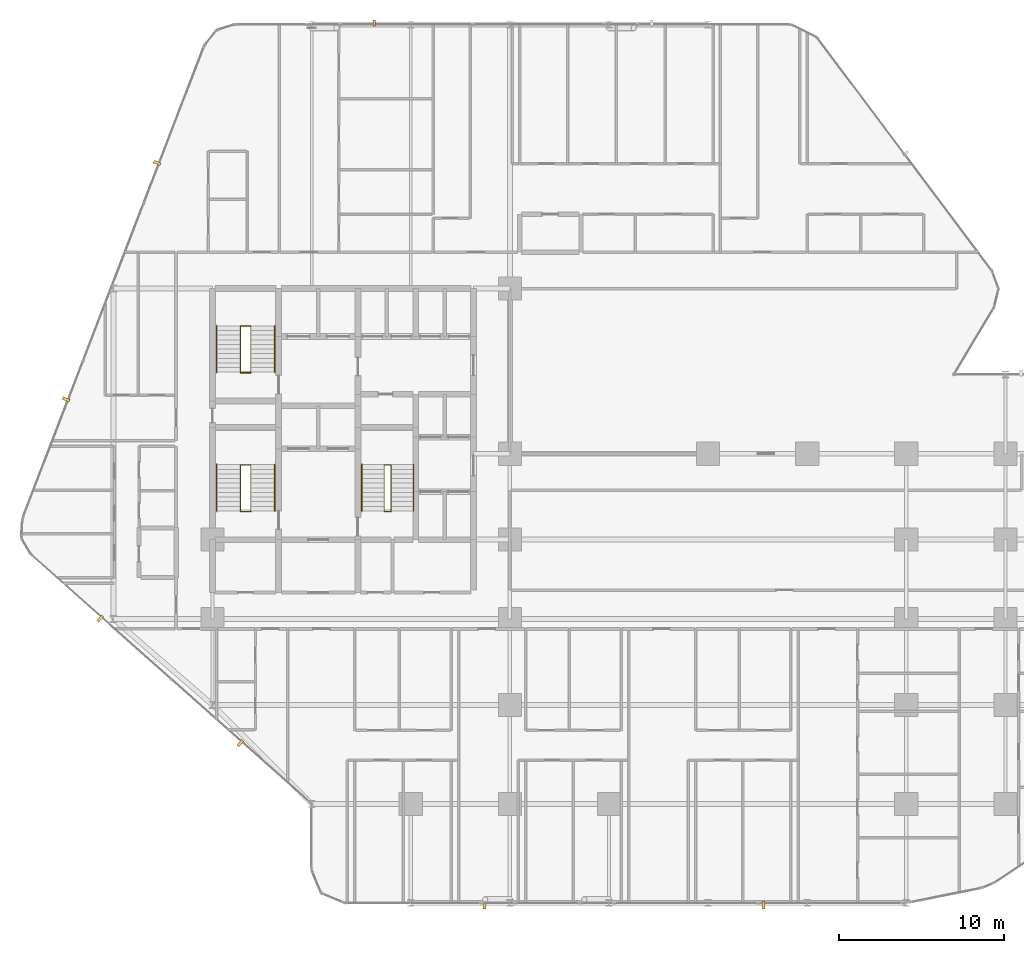
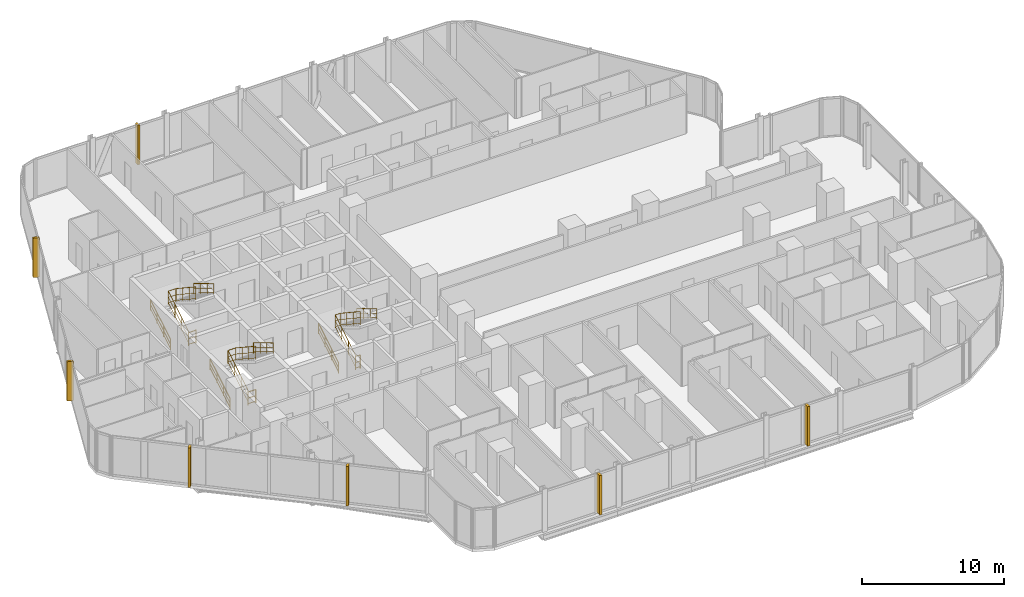
# One storey, part 34 of 35: 12 railings, 7 coverings.
"""IFC4 building model written with IfcOpenShell, lengths in metres."""

from ifc_helpers import new_model, si_unit, direction, frame, origin, origin_2d, place, context, subcontext, project, spatial, rectangle, circle, extrude, material, layer, layer_set, type_object, element, save


model = new_model("IFC4")

# Units and contexts
model_context = context("Model", 3, precision=1e-05, world=origin(), true_north=direction((0.0, 1.0)))
body_context = subcontext(model_context, "Body", "Model", "MODEL_VIEW")
ifc_project = project(units=[si_unit("LENGTHUNIT", "METRE"), si_unit("AREAUNIT", "SQUARE_METRE"), si_unit("VOLUMEUNIT", "CUBIC_METRE"), si_unit("PLANEANGLEUNIT", "RADIAN"), si_unit("MASSUNIT", "GRAM", prefix="KILO")], contexts=[model_context])

# Site, building, storey
site_placement = place(None, origin())
site = spatial("IfcSite", under=ifc_project, at=site_placement, CompositionType="ELEMENT")
building_placement = place(site_placement, origin())
building = spatial("IfcBuilding", under=site, at=building_placement, Name="Keshet Zoharim Tower", CompositionType="ELEMENT")
storey_placement = place(building_placement, frame((0.0, 0.0, 24.0)))
storey = spatial("IfcBuildingStorey", under=building, at=storey_placement, Name="L04", CompositionType="ELEMENT", Elevation=24.0)

# Coverings
ifc_material_1 = material(Name="Concrete C50/60 precast", Category="concrete")
covering_type_1 = type_object("IfcCoveringType", Name="FIN-SOL-360", PredefinedType="CLADDING", material=ifc_material_1)
covering_placement = place(storey_placement, frame((24.780029296875, 53.97998046875, 0.0), z_axis=(0.0, 0.0, 1.0), x_axis=(1.0, 0.0, 0.0)))
element("IfcCovering", 1, at=covering_placement, inside=storey, type_object=covering_type_1, Name="L04 Vertical Precast Solar Fin 05", PredefinedType="CLADDING", context=body_context, shape_type="SweptSolid", body=[
    extrude(rectangle(XDim=0.159912109375, YDim=0.360107421875, at=origin_2d()), origin(), (0.0, 0.0, 1.0), 3.385009765625),
])
covering_type_2 = type_object("IfcCoveringType", Name="FIN-SOL-450", PredefinedType="CLADDING", material=ifc_material_1)
for number, where, z_axis, x_axis, name in (
    (2, (16.676025390625, 10.376953125, 0.0), (0.0, 0.0, 1.0), (-0.747409318679, 0.664363838836, 0.0), "L04 Vertical Precast Solar Fin 01"),
    (3, (8.193115234375, 17.9169921875, 0.0), (0.0, 0.0, 1.0), (-0.747409318679, 0.664363838836, 0.0), "L04 Vertical Precast Solar Fin 02"),
    (4, (6.133056640625, 31.194091796875, 0.0), (0.0, 0.0, 1.0), (0.358990003907, 0.933341404361, 0.0), "L04 Vertical Precast Solar Fin 03"),
    (5, (11.637939453125, 45.507080078125, 0.0), (0.0, 0.0, 1.0), (0.358990003907, 0.933341404361, 0.0), "L04 Vertical Precast Solar Fin 04"),
    (6, (48.35205078125, 0.574951171875, 0.0), (0.0, 0.0, 1.0), (-1.0, 0.0, 0.0), "L04 Vertical Precast Solar Fin 10"),
    (7, (31.450927734375, 0.574951171875, 0.0), (0.0, 0.0, 1.0), (-1.0, 0.0, 0.0), "L04 Vertical Precast Solar Fin 11"),
):
    element("IfcCovering", number, at=place(storey_placement, frame(where, z_axis=z_axis, x_axis=x_axis)), inside=storey, type_object=covering_type_2, Name=name, PredefinedType="CLADDING", context=body_context, shape_type="SweptSolid", body=[
        extrude(rectangle(XDim=0.179931640625, YDim=0.449951171875, at=origin_2d()), origin(), (0.0, 0.0, 1.0), 3.385009765625),
    ])

# Railings
ifc_material_2 = material(Name="Steel S355", Category="steel")
ifc_layer_1 = layer(ifc_material_2, 0.050048828125)
ifc_layer_set_1 = layer_set([ifc_layer_1], Name="Steel S355")
railing_type_1 = type_object("IfcRailingType", Name="RL-HND-092", PredefinedType="HANDRAIL", material=ifc_layer_set_1)
railing_1_placement = place(storey_placement, frame((15.239990234375, 24.43994140625, 0.168212890625)))
element("IfcRailing", 8, at=railing_1_placement, inside=storey, type_object=railing_type_1, Name="L04 ST-01 Flight 1 Wall Handrail", PredefinedType="HANDRAIL", context=body_context, shape_type="SweptSolid", body=[
    extrude(circle(Radius=0.02392578125, at=origin_2d()), frame((0.0, 0.0, 0.89599609375), z_axis=(0.0, 0.857242210791, 0.514913383045), x_axis=(-1.0, 0.0, 0.0)), (0.0, 0.0, 1.0), 3.266357421875),
    extrude(circle(Radius=0.01611328125, at=origin_2d()), frame((0.0, 0.0, 0.478271484375), z_axis=(0.0, 0.857242210791, 0.514913383045), x_axis=(-1.0, 0.0, 0.0)), (0.0, 0.0, 1.0), 3.266357421875),
    extrude(circle(Radius=0.01611328125, at=origin_2d()), frame((0.0, 0.0, 0.1201171875), z_axis=(0.0, 0.857242210791, 0.514913383045), x_axis=(-1.0, 0.0, 0.0)), (0.0, 0.0, 1.0), 3.266357421875),
    extrude(circle(Radius=0.02099609375, at=origin_2d()), origin(), (0.0, 0.0, 1.0), 0.871826171875),
    extrude(circle(Radius=0.02099609375, at=origin_2d()), frame((0.0, 0.933349609375, 0.560546875)), (0.0, 0.0, 1.0), 0.871826171875),
    extrude(circle(Radius=0.02099609375, at=origin_2d()), frame((0.0, 1.86669921875, 1.121337890625)), (0.0, 0.0, 1.0), 0.871826171875),
    extrude(circle(Radius=0.02099609375, at=origin_2d()), frame((0.0, 2.800048828125, 1.681884765625)), (0.0, 0.0, 1.0), 0.871826171875),
])
railing_2_placement = place(storey_placement, frame((18.760009765625, 27.239990234375, 2.018310546875)))
element("IfcRailing", 9, at=railing_2_placement, inside=storey, type_object=railing_type_1, Name="L04 ST-01 Flight 2 Wall Handrail", PredefinedType="HANDRAIL", context=body_context, shape_type="SweptSolid", body=[
    extrude(circle(Radius=0.02392578125, at=origin_2d()), frame((0.0, 0.0, 0.89599609375), z_axis=(0.0, -0.857275202839, 0.514858452973), x_axis=(1.0, 0.0, 0.0)), (0.0, 0.0, 1.0), 3.26611328125),
    extrude(circle(Radius=0.01611328125, at=origin_2d()), frame((0.0, 0.0, 0.478271484375), z_axis=(0.0, -0.857275202839, 0.514858452973), x_axis=(1.0, 0.0, 0.0)), (0.0, 0.0, 1.0), 3.26611328125),
    extrude(circle(Radius=0.01611328125, at=origin_2d()), frame((0.0, 0.0, 0.1201171875), z_axis=(0.0, -0.857275202839, 0.514858452973), x_axis=(1.0, 0.0, 0.0)), (0.0, 0.0, 1.0), 3.26611328125),
    extrude(circle(Radius=0.02099609375, at=origin_2d()), origin(), (0.0, 0.0, 1.0), 0.871826171875),
    extrude(circle(Radius=0.02099609375, at=origin_2d()), frame((0.0, -0.933349609375, 0.560546875)), (0.0, 0.0, 1.0), 0.871826171875),
    extrude(circle(Radius=0.02099609375, at=origin_2d()), frame((0.0, -1.86669921875, 1.12109375)), (0.0, 0.0, 1.0), 0.871826171875),
    extrude(circle(Radius=0.02099609375, at=origin_2d()), frame((0.0, -2.800048828125, 1.681640625)), (0.0, 0.0, 1.0), 0.871826171875),
])
railing_3_placement = place(storey_placement, frame((15.239990234375, 32.840087890625, 0.168212890625)))
element("IfcRailing", 10, at=railing_3_placement, inside=storey, type_object=railing_type_1, Name="L04 ST-02 Flight 1 Wall Handrail", PredefinedType="HANDRAIL", context=body_context, shape_type="SweptSolid", body=[
    extrude(circle(Radius=0.02392578125, at=origin_2d()), frame((0.0, 0.0, 0.89599609375), z_axis=(0.0, 0.857222391501, 0.514946377315), x_axis=(-1.0, 0.0, 0.0)), (0.0, 0.0, 1.0), 3.26611328125),
    extrude(circle(Radius=0.01611328125, at=origin_2d()), frame((0.0, 0.0, 0.478271484375), z_axis=(0.0, 0.857222391501, 0.514946377315), x_axis=(-1.0, 0.0, 0.0)), (0.0, 0.0, 1.0), 3.26611328125),
    extrude(circle(Radius=0.01611328125, at=origin_2d()), frame((0.0, 0.0, 0.1201171875), z_axis=(0.0, 0.857222391501, 0.514946377315), x_axis=(-1.0, 0.0, 0.0)), (0.0, 0.0, 1.0), 3.26611328125),
    extrude(circle(Radius=0.02099609375, at=origin_2d()), origin(), (0.0, 0.0, 1.0), 0.871826171875),
    extrude(circle(Radius=0.02099609375, at=origin_2d()), frame((0.0, 0.933349609375, 0.560546875)), (0.0, 0.0, 1.0), 0.871826171875),
    extrude(circle(Radius=0.02099609375, at=origin_2d()), frame((0.0, 1.866455078125, 1.121337890625)), (0.0, 0.0, 1.0), 0.871826171875),
    extrude(circle(Radius=0.02099609375, at=origin_2d()), frame((0.0, 2.7998046875, 1.681884765625)), (0.0, 0.0, 1.0), 0.871826171875),
])
railing_4_placement = place(storey_placement, frame((18.760009765625, 35.639892578125, 2.018310546875)))
element("IfcRailing", 11, at=railing_4_placement, inside=storey, type_object=railing_type_1, Name="L04 ST-02 Flight 2 Wall Handrail", PredefinedType="HANDRAIL", context=body_context, shape_type="SweptSolid", body=[
    extrude(circle(Radius=0.02392578125, at=origin_2d()), frame((0.0, 0.0, 0.89599609375), z_axis=(0.0, -0.857255387014, 0.514891446264), x_axis=(1.0, 0.0, 0.0)), (0.0, 0.0, 1.0), 3.26611328125),
    extrude(circle(Radius=0.01611328125, at=origin_2d()), frame((0.0, 0.0, 0.478271484375), z_axis=(0.0, -0.857255387014, 0.514891446264), x_axis=(1.0, 0.0, 0.0)), (0.0, 0.0, 1.0), 3.26611328125),
    extrude(circle(Radius=0.01611328125, at=origin_2d()), frame((0.0, 0.0, 0.1201171875), z_axis=(0.0, -0.857255387014, 0.514891446264), x_axis=(1.0, 0.0, 0.0)), (0.0, 0.0, 1.0), 3.26611328125),
    extrude(circle(Radius=0.02099609375, at=origin_2d()), origin(), (0.0, 0.0, 1.0), 0.871826171875),
    extrude(circle(Radius=0.02099609375, at=origin_2d()), frame((0.0, -0.933349609375, 0.560546875)), (0.0, 0.0, 1.0), 0.871826171875),
    extrude(circle(Radius=0.02099609375, at=origin_2d()), frame((0.0, -1.866455078125, 1.12109375)), (0.0, 0.0, 1.0), 0.871826171875),
    extrude(circle(Radius=0.02099609375, at=origin_2d()), frame((0.0, -2.7998046875, 1.681640625)), (0.0, 0.0, 1.0), 0.871826171875),
])
railing_5_placement = place(storey_placement, frame((24.0400390625, 24.43994140625, 0.168212890625)))
element("IfcRailing", 12, at=railing_5_placement, inside=storey, type_object=railing_type_1, Name="L04 ST-03 Flight 1 Wall Handrail", PredefinedType="HANDRAIL", context=body_context, shape_type="SweptSolid", body=[
    extrude(circle(Radius=0.02392578125, at=origin_2d()), frame((0.0, 0.0, 0.89599609375), z_axis=(0.0, 0.857242210791, 0.514913383045), x_axis=(-1.0, 0.0, 0.0)), (0.0, 0.0, 1.0), 3.266357421875),
    extrude(circle(Radius=0.01611328125, at=origin_2d()), frame((0.0, 0.0, 0.478271484375), z_axis=(0.0, 0.857242210791, 0.514913383045), x_axis=(-1.0, 0.0, 0.0)), (0.0, 0.0, 1.0), 3.266357421875),
    extrude(circle(Radius=0.01611328125, at=origin_2d()), frame((0.0, 0.0, 0.1201171875), z_axis=(0.0, 0.857242210791, 0.514913383045), x_axis=(-1.0, 0.0, 0.0)), (0.0, 0.0, 1.0), 3.266357421875),
    extrude(circle(Radius=0.02099609375, at=origin_2d()), origin(), (0.0, 0.0, 1.0), 0.871826171875),
    extrude(circle(Radius=0.02099609375, at=origin_2d()), frame((0.0, 0.933349609375, 0.560546875)), (0.0, 0.0, 1.0), 0.871826171875),
    extrude(circle(Radius=0.02099609375, at=origin_2d()), frame((0.0, 1.86669921875, 1.121337890625)), (0.0, 0.0, 1.0), 0.871826171875),
    extrude(circle(Radius=0.02099609375, at=origin_2d()), frame((0.0, 2.800048828125, 1.681884765625)), (0.0, 0.0, 1.0), 0.871826171875),
])
railing_6_placement = place(storey_placement, frame((27.159912109375, 27.239990234375, 2.018310546875)))
element("IfcRailing", 13, at=railing_6_placement, inside=storey, type_object=railing_type_1, Name="L04 ST-03 Flight 2 Wall Handrail", PredefinedType="HANDRAIL", context=body_context, shape_type="SweptSolid", body=[
    extrude(circle(Radius=0.02392578125, at=origin_2d()), frame((0.0, 0.0, 0.89599609375), z_axis=(0.0, -0.857275202839, 0.514858452973), x_axis=(1.0, 0.0, 0.0)), (0.0, 0.0, 1.0), 3.26611328125),
    extrude(circle(Radius=0.01611328125, at=origin_2d()), frame((0.0, 0.0, 0.478271484375), z_axis=(0.0, -0.857275202839, 0.514858452973), x_axis=(1.0, 0.0, 0.0)), (0.0, 0.0, 1.0), 3.26611328125),
    extrude(circle(Radius=0.01611328125, at=origin_2d()), frame((0.0, 0.0, 0.1201171875), z_axis=(0.0, -0.857275202839, 0.514858452973), x_axis=(1.0, 0.0, 0.0)), (0.0, 0.0, 1.0), 3.26611328125),
    extrude(circle(Radius=0.02099609375, at=origin_2d()), origin(), (0.0, 0.0, 1.0), 0.871826171875),
    extrude(circle(Radius=0.02099609375, at=origin_2d()), frame((0.0, -0.933349609375, 0.560546875)), (0.0, 0.0, 1.0), 0.871826171875),
    extrude(circle(Radius=0.02099609375, at=origin_2d()), frame((0.0, -1.86669921875, 1.12109375)), (0.0, 0.0, 1.0), 0.871826171875),
    extrude(circle(Radius=0.02099609375, at=origin_2d()), frame((0.0, -2.800048828125, 1.681640625)), (0.0, 0.0, 1.0), 0.871826171875),
])
ifc_layer_2 = layer(ifc_material_2, 0.06005859375)
ifc_layer_set_2 = layer_set([ifc_layer_2], Name="Steel S355")
railing_type_2 = type_object("IfcRailingType", Name="RL-STG-115", PredefinedType="GUARDRAIL", material=ifc_layer_set_2)
railing_7_placement = place(storey_placement, frame((16.68994140625, 24.43994140625, 0.168212890625)))
element("IfcRailing", 14, at=railing_7_placement, inside=storey, type_object=railing_type_2, Name="L04 ST-01 Inner Well Guardrail", PredefinedType="GUARDRAIL", context=body_context, shape_type="SweptSolid", body=[
    extrude(circle(Radius=0.02392578125, at=origin_2d()), frame((0.0, 0.0, 1.1259765625), z_axis=(0.0, 0.857242210791, 0.514913383045), x_axis=(-1.0, 0.0, 0.0)), (0.0, 0.0, 1.0), 3.266357421875),
    extrude(circle(Radius=0.01611328125, at=origin_2d()), frame((0.0, 0.0, 0.597900390625), z_axis=(0.0, 0.857242210791, 0.514913383045), x_axis=(-1.0, 0.0, 0.0)), (0.0, 0.0, 1.0), 3.266357421875),
    extrude(circle(Radius=0.01611328125, at=origin_2d()), frame((0.0, 0.0, 0.1201171875), z_axis=(0.0, 0.857242210791, 0.514913383045), x_axis=(-1.0, 0.0, 0.0)), (0.0, 0.0, 1.0), 3.266357421875),
    extrude(circle(Radius=0.02392578125, at=origin_2d()), frame((0.0, 2.800048828125, 2.8076171875), z_axis=(1.0, 0.0, 0.0), x_axis=(0.0, 1.0, 0.0)), (0.0, 0.0, 1.0), 0.6201171875),
    extrude(circle(Radius=0.01611328125, at=origin_2d()), frame((0.0, 2.800048828125, 2.27978515625), z_axis=(1.0, 0.0, 0.0), x_axis=(0.0, 1.0, 0.0)), (0.0, 0.0, 1.0), 0.6201171875),
    extrude(circle(Radius=0.01611328125, at=origin_2d()), frame((0.0, 2.800048828125, 1.802001953125), z_axis=(1.0, 0.0, 0.0), x_axis=(0.0, 1.0, 0.0)), (0.0, 0.0, 1.0), 0.6201171875),
    extrude(circle(Radius=0.02392578125, at=origin_2d()), frame((0.6201171875, 2.800048828125, 2.8076171875), z_axis=(0.0, -0.83435981716, 0.551220187865), x_axis=(1.0, 0.0, 0.0)), (0.0, 0.0, 1.0), 3.35595703125),
    extrude(circle(Radius=0.01611328125, at=origin_2d()), frame((0.6201171875, 2.800048828125, 2.27978515625), z_axis=(0.0, -0.83435981716, 0.551220187865), x_axis=(1.0, 0.0, 0.0)), (0.0, 0.0, 1.0), 3.35595703125),
    extrude(circle(Radius=0.01611328125, at=origin_2d()), frame((0.6201171875, 2.800048828125, 1.802001953125), z_axis=(0.0, -0.83435981716, 0.551220187865), x_axis=(1.0, 0.0, 0.0)), (0.0, 0.0, 1.0), 3.35595703125),
    extrude(circle(Radius=0.02099609375, at=origin_2d()), origin(), (0.0, 0.0, 1.0), 1.101806640625),
    extrude(circle(Radius=0.02099609375, at=origin_2d()), frame((0.0, 0.933349609375, 0.560546875)), (0.0, 0.0, 1.0), 1.101806640625),
    extrude(circle(Radius=0.02099609375, at=origin_2d()), frame((0.0, 1.86669921875, 1.121337890625)), (0.0, 0.0, 1.0), 1.101806640625),
    extrude(circle(Radius=0.02099609375, at=origin_2d()), frame((0.0, 2.800048828125, 1.681884765625)), (0.0, 0.0, 1.0), 1.101806640625),
    extrude(circle(Radius=0.02099609375, at=origin_2d()), frame((0.6201171875, 2.800048828125, 1.681884765625)), (0.0, 0.0, 1.0), 1.101806640625),
    extrude(circle(Radius=0.02099609375, at=origin_2d()), frame((0.6201171875, 1.86669921875, 2.298583984375)), (0.0, 0.0, 1.0), 1.101806640625),
    extrude(circle(Radius=0.02099609375, at=origin_2d()), frame((0.6201171875, 0.933349609375, 2.9150390625)), (0.0, 0.0, 1.0), 1.101806640625),
    extrude(circle(Radius=0.02099609375, at=origin_2d()), frame((0.6201171875, 0.0, 3.53173828125)), (0.0, 0.0, 1.0), 1.101806640625),
])
railing_8_placement = place(storey_placement, frame((16.68994140625, 24.409912109375, 0.0)))
element("IfcRailing", 15, at=railing_8_placement, inside=storey, type_object=railing_type_2, Name="L04 ST-01 Stairwell Floor Guardrail", PredefinedType="GUARDRAIL", context=body_context, shape_type="SweptSolid", body=[
    extrude(circle(Radius=0.02392578125, at=origin_2d()), frame((0.0, 0.0, 1.1259765625), z_axis=(1.0, 0.0, 0.0), x_axis=(0.0, 1.0, 0.0)), (0.0, 0.0, 1.0), 0.6201171875),
    extrude(circle(Radius=0.01611328125, at=origin_2d()), frame((0.0, 0.0, 0.597900390625), z_axis=(1.0, 0.0, 0.0), x_axis=(0.0, 1.0, 0.0)), (0.0, 0.0, 1.0), 0.6201171875),
    extrude(circle(Radius=0.01611328125, at=origin_2d()), frame((0.0, 0.0, 0.1201171875), z_axis=(1.0, 0.0, 0.0), x_axis=(0.0, 1.0, 0.0)), (0.0, 0.0, 1.0), 0.6201171875),
    extrude(circle(Radius=0.02099609375, at=origin_2d()), origin(), (0.0, 0.0, 1.0), 1.101806640625),
    extrude(circle(Radius=0.02099609375, at=origin_2d()), frame((0.6201171875, 0.0, 0.0)), (0.0, 0.0, 1.0), 1.101806640625),
])
railing_9_placement = place(storey_placement, frame((16.68994140625, 32.840087890625, 0.168212890625)))
element("IfcRailing", 16, at=railing_9_placement, inside=storey, type_object=railing_type_2, Name="L04 ST-02 Inner Well Guardrail", PredefinedType="GUARDRAIL", context=body_context, shape_type="SweptSolid", body=[
    extrude(circle(Radius=0.02392578125, at=origin_2d()), frame((0.0, 0.0, 1.1259765625), z_axis=(0.0, 0.857222391501, 0.514946377315), x_axis=(-1.0, 0.0, 0.0)), (0.0, 0.0, 1.0), 3.26611328125),
    extrude(circle(Radius=0.01611328125, at=origin_2d()), frame((0.0, 0.0, 0.597900390625), z_axis=(0.0, 0.857222391501, 0.514946377315), x_axis=(-1.0, 0.0, 0.0)), (0.0, 0.0, 1.0), 3.26611328125),
    extrude(circle(Radius=0.01611328125, at=origin_2d()), frame((0.0, 0.0, 0.1201171875), z_axis=(0.0, 0.857222391501, 0.514946377315), x_axis=(-1.0, 0.0, 0.0)), (0.0, 0.0, 1.0), 3.26611328125),
    extrude(circle(Radius=0.02392578125, at=origin_2d()), frame((0.0, 2.7998046875, 2.8076171875), z_axis=(1.0, 0.0, 0.0), x_axis=(0.0, 1.0, 0.0)), (0.0, 0.0, 1.0), 0.6201171875),
    extrude(circle(Radius=0.01611328125, at=origin_2d()), frame((0.0, 2.7998046875, 2.27978515625), z_axis=(1.0, 0.0, 0.0), x_axis=(0.0, 1.0, 0.0)), (0.0, 0.0, 1.0), 0.6201171875),
    extrude(circle(Radius=0.01611328125, at=origin_2d()), frame((0.0, 2.7998046875, 1.802001953125), z_axis=(1.0, 0.0, 0.0), x_axis=(0.0, 1.0, 0.0)), (0.0, 0.0, 1.0), 0.6201171875),
    extrude(circle(Radius=0.02392578125, at=origin_2d()), frame((0.6201171875, 2.7998046875, 2.8076171875), z_axis=(0.0, -0.834337710781, 0.551253647941), x_axis=(1.0, 0.0, 0.0)), (0.0, 0.0, 1.0), 3.355712890625),
    extrude(circle(Radius=0.01611328125, at=origin_2d()), frame((0.6201171875, 2.7998046875, 2.27978515625), z_axis=(0.0, -0.834337710781, 0.551253647941), x_axis=(1.0, 0.0, 0.0)), (0.0, 0.0, 1.0), 3.355712890625),
    extrude(circle(Radius=0.01611328125, at=origin_2d()), frame((0.6201171875, 2.7998046875, 1.802001953125), z_axis=(0.0, -0.834337710781, 0.551253647941), x_axis=(1.0, 0.0, 0.0)), (0.0, 0.0, 1.0), 3.355712890625),
    extrude(circle(Radius=0.02099609375, at=origin_2d()), origin(), (0.0, 0.0, 1.0), 1.101806640625),
    extrude(circle(Radius=0.02099609375, at=origin_2d()), frame((0.0, 0.933349609375, 0.560546875)), (0.0, 0.0, 1.0), 1.101806640625),
    extrude(circle(Radius=0.02099609375, at=origin_2d()), frame((0.0, 1.866455078125, 1.121337890625)), (0.0, 0.0, 1.0), 1.101806640625),
    extrude(circle(Radius=0.02099609375, at=origin_2d()), frame((0.0, 2.7998046875, 1.681884765625)), (0.0, 0.0, 1.0), 1.101806640625),
    extrude(circle(Radius=0.02099609375, at=origin_2d()), frame((0.6201171875, 2.7998046875, 1.681884765625)), (0.0, 0.0, 1.0), 1.101806640625),
    extrude(circle(Radius=0.02099609375, at=origin_2d()), frame((0.6201171875, 1.866455078125, 2.298583984375)), (0.0, 0.0, 1.0), 1.101806640625),
    extrude(circle(Radius=0.02099609375, at=origin_2d()), frame((0.6201171875, 0.933349609375, 2.9150390625)), (0.0, 0.0, 1.0), 1.101806640625),
    extrude(circle(Radius=0.02099609375, at=origin_2d()), frame((0.6201171875, 0.0, 3.53173828125)), (0.0, 0.0, 1.0), 1.101806640625),
])
railing_10_placement = place(storey_placement, frame((16.68994140625, 32.81005859375, 0.0)))
element("IfcRailing", 17, at=railing_10_placement, inside=storey, type_object=railing_type_2, Name="L04 ST-02 Stairwell Floor Guardrail", PredefinedType="GUARDRAIL", context=body_context, shape_type="SweptSolid", body=[
    extrude(circle(Radius=0.02392578125, at=origin_2d()), frame((0.0, 0.0, 1.1259765625), z_axis=(1.0, 0.0, 0.0), x_axis=(0.0, 1.0, 0.0)), (0.0, 0.0, 1.0), 0.6201171875),
    extrude(circle(Radius=0.01611328125, at=origin_2d()), frame((0.0, 0.0, 0.597900390625), z_axis=(1.0, 0.0, 0.0), x_axis=(0.0, 1.0, 0.0)), (0.0, 0.0, 1.0), 0.6201171875),
    extrude(circle(Radius=0.01611328125, at=origin_2d()), frame((0.0, 0.0, 0.1201171875), z_axis=(1.0, 0.0, 0.0), x_axis=(0.0, 1.0, 0.0)), (0.0, 0.0, 1.0), 0.6201171875),
    extrude(circle(Radius=0.02099609375, at=origin_2d()), origin(), (0.0, 0.0, 1.0), 1.101806640625),
    extrude(circle(Radius=0.02099609375, at=origin_2d()), frame((0.6201171875, 0.0, 0.0)), (0.0, 0.0, 1.0), 1.101806640625),
])
railing_11_placement = place(storey_placement, frame((25.39990234375, 24.43994140625, 0.168212890625)))
element("IfcRailing", 18, at=railing_11_placement, inside=storey, type_object=railing_type_2, Name="L04 ST-03 Inner Well Guardrail", PredefinedType="GUARDRAIL", context=body_context, shape_type="SweptSolid", body=[
    extrude(circle(Radius=0.02392578125, at=origin_2d()), frame((0.0, 0.0, 1.1259765625), z_axis=(0.0, 0.857242210791, 0.514913383045), x_axis=(-1.0, 0.0, 0.0)), (0.0, 0.0, 1.0), 3.266357421875),
    extrude(circle(Radius=0.01611328125, at=origin_2d()), frame((0.0, 0.0, 0.597900390625), z_axis=(0.0, 0.857242210791, 0.514913383045), x_axis=(-1.0, 0.0, 0.0)), (0.0, 0.0, 1.0), 3.266357421875),
    extrude(circle(Radius=0.01611328125, at=origin_2d()), frame((0.0, 0.0, 0.1201171875), z_axis=(0.0, 0.857242210791, 0.514913383045), x_axis=(-1.0, 0.0, 0.0)), (0.0, 0.0, 1.0), 3.266357421875),
    extrude(circle(Radius=0.02392578125, at=origin_2d()), frame((0.0, 2.800048828125, 2.8076171875), z_axis=(1.0, 0.0, 0.0), x_axis=(0.0, 1.0, 0.0)), (0.0, 0.0, 1.0), 0.400146484375),
    extrude(circle(Radius=0.01611328125, at=origin_2d()), frame((0.0, 2.800048828125, 2.27978515625), z_axis=(1.0, 0.0, 0.0), x_axis=(0.0, 1.0, 0.0)), (0.0, 0.0, 1.0), 0.400146484375),
    extrude(circle(Radius=0.01611328125, at=origin_2d()), frame((0.0, 2.800048828125, 1.802001953125), z_axis=(1.0, 0.0, 0.0), x_axis=(0.0, 1.0, 0.0)), (0.0, 0.0, 1.0), 0.400146484375),
    extrude(circle(Radius=0.02392578125, at=origin_2d()), frame((0.400146484375, 2.800048828125, 2.8076171875), z_axis=(0.0, -0.83435981716, 0.551220187865), x_axis=(1.0, 0.0, 0.0)), (0.0, 0.0, 1.0), 3.35595703125),
    extrude(circle(Radius=0.01611328125, at=origin_2d()), frame((0.400146484375, 2.800048828125, 2.27978515625), z_axis=(0.0, -0.83435981716, 0.551220187865), x_axis=(1.0, 0.0, 0.0)), (0.0, 0.0, 1.0), 3.35595703125),
    extrude(circle(Radius=0.01611328125, at=origin_2d()), frame((0.400146484375, 2.800048828125, 1.802001953125), z_axis=(0.0, -0.83435981716, 0.551220187865), x_axis=(1.0, 0.0, 0.0)), (0.0, 0.0, 1.0), 3.35595703125),
    extrude(circle(Radius=0.02099609375, at=origin_2d()), origin(), (0.0, 0.0, 1.0), 1.101806640625),
    extrude(circle(Radius=0.02099609375, at=origin_2d()), frame((0.0, 0.933349609375, 0.560546875)), (0.0, 0.0, 1.0), 1.101806640625),
    extrude(circle(Radius=0.02099609375, at=origin_2d()), frame((0.0, 1.86669921875, 1.121337890625)), (0.0, 0.0, 1.0), 1.101806640625),
    extrude(circle(Radius=0.02099609375, at=origin_2d()), frame((0.0, 2.800048828125, 1.681884765625)), (0.0, 0.0, 1.0), 1.101806640625),
    extrude(circle(Radius=0.02099609375, at=origin_2d()), frame((0.400146484375, 2.800048828125, 1.681884765625)), (0.0, 0.0, 1.0), 1.101806640625),
    extrude(circle(Radius=0.02099609375, at=origin_2d()), frame((0.400146484375, 1.86669921875, 2.298583984375)), (0.0, 0.0, 1.0), 1.101806640625),
    extrude(circle(Radius=0.02099609375, at=origin_2d()), frame((0.400146484375, 0.933349609375, 2.9150390625)), (0.0, 0.0, 1.0), 1.101806640625),
    extrude(circle(Radius=0.02099609375, at=origin_2d()), frame((0.400146484375, 0.0, 3.53173828125)), (0.0, 0.0, 1.0), 1.101806640625),
])
railing_12_placement = place(storey_placement, frame((25.39990234375, 24.409912109375, 0.0)))
element("IfcRailing", 19, at=railing_12_placement, inside=storey, type_object=railing_type_2, Name="L04 ST-03 Stairwell Floor Guardrail", PredefinedType="GUARDRAIL", context=body_context, shape_type="SweptSolid", body=[
    extrude(circle(Radius=0.02392578125, at=origin_2d()), frame((0.0, 0.0, 1.1259765625), z_axis=(1.0, 0.0, 0.0), x_axis=(0.0, 1.0, 0.0)), (0.0, 0.0, 1.0), 0.400146484375),
    extrude(circle(Radius=0.01611328125, at=origin_2d()), frame((0.0, 0.0, 0.597900390625), z_axis=(1.0, 0.0, 0.0), x_axis=(0.0, 1.0, 0.0)), (0.0, 0.0, 1.0), 0.400146484375),
    extrude(circle(Radius=0.01611328125, at=origin_2d()), frame((0.0, 0.0, 0.1201171875), z_axis=(1.0, 0.0, 0.0), x_axis=(0.0, 1.0, 0.0)), (0.0, 0.0, 1.0), 0.400146484375),
    extrude(circle(Radius=0.02099609375, at=origin_2d()), origin(), (0.0, 0.0, 1.0), 1.101806640625),
    extrude(circle(Radius=0.02099609375, at=origin_2d()), frame((0.400146484375, 0.0, 0.0)), (0.0, 0.0, 1.0), 1.101806640625),
])

save(model, "model.ifc")
